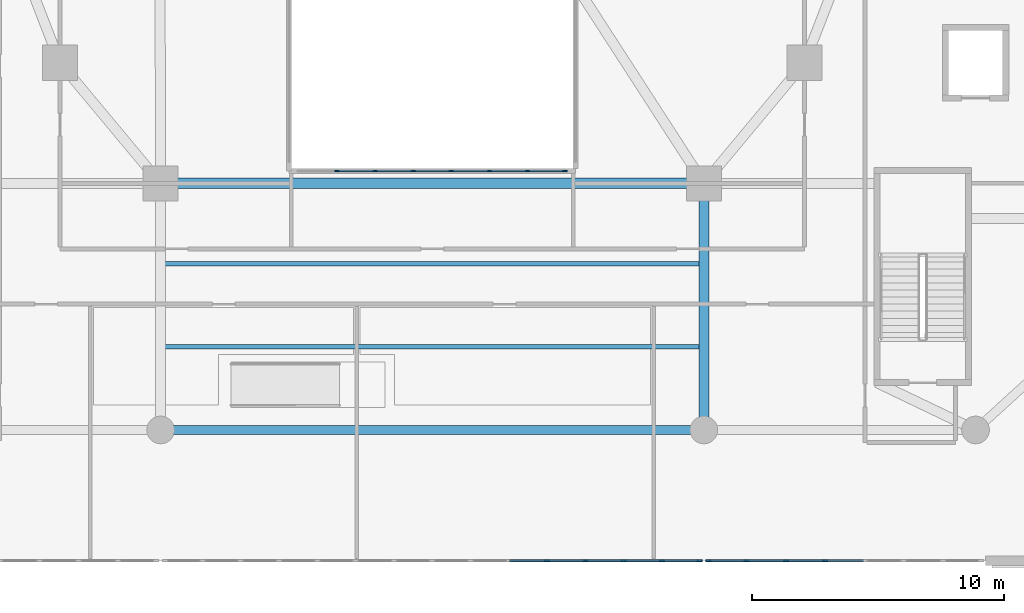
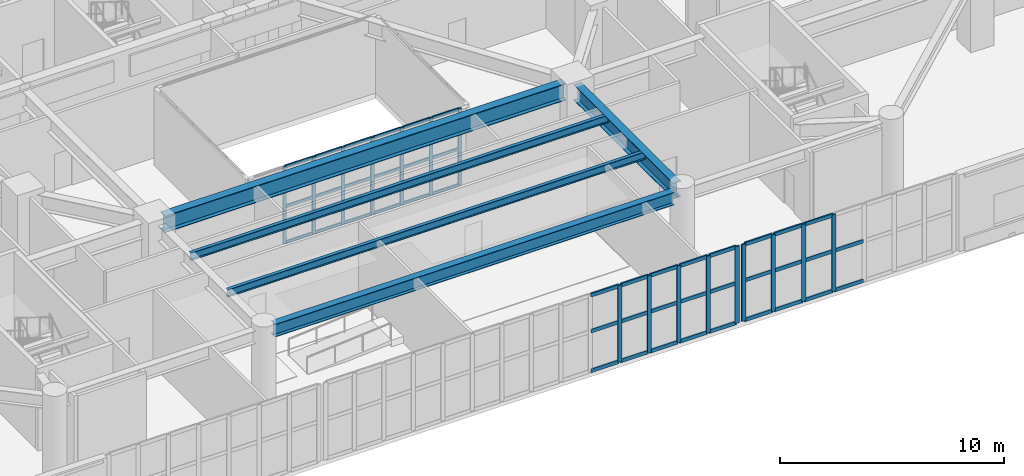
# One storey, part 5 of 25: 60 members, 5 beams, 3 elements without a shape of their own.
"""IFC4 building model written with IfcOpenShell, lengths in metres."""

from ifc_helpers import new_model, si_unit, direction, frame, origin, origin_2d, place, context, subcontext, project, spatial, rectangle, i_section, extrude, material, material_profile, profile_set, type_object, element, aggregate, save


model = new_model("IFC4")

# Units and contexts
model_context = context("Model", 3, precision=1e-05, world=origin(), true_north=direction((0.0, 1.0)))
body_context = subcontext(model_context, "Body", "Model", "MODEL_VIEW")
ifc_project = project(units=[si_unit("LENGTHUNIT", "METRE"), si_unit("AREAUNIT", "SQUARE_METRE"), si_unit("VOLUMEUNIT", "CUBIC_METRE"), si_unit("PLANEANGLEUNIT", "RADIAN"), si_unit("MASSUNIT", "GRAM", prefix="KILO")], contexts=[model_context])

# Site, building, storey
site_placement = place(None, origin())
site = spatial("IfcSite", under=ifc_project, at=site_placement, CompositionType="ELEMENT")
building_placement = place(site_placement, origin())
building = spatial("IfcBuilding", under=site, at=building_placement, Name="Haldorwick Loom Tower", CompositionType="ELEMENT")
storey_placement = place(building_placement, frame((0.0, 0.0, 6.0)))
storey = spatial("IfcBuildingStorey", under=building, at=storey_placement, Name="L01", CompositionType="ELEMENT", Elevation=6.0)

# Curtain wall, members
ifc_material_1 = material(Name="Thermally Broken Anodized Aluminium Curtain Wall Framing", Category="aluminium")
curtain_wall_type_1 = type_object("IfcCurtainWallType", Name="ARC-CW-01", PredefinedType="NOTDEFINED", material=ifc_material_1)
curtain_wall_1_placement = place(storey_placement, origin())
curtain_wall_1 = element("IfcCurtainWall", 1, at=curtain_wall_1_placement, inside=storey, type_object=curtain_wall_type_1, Name="L01 Facade Curtain Wall CW-01 Bay 40", PredefinedType="NOTDEFINED")
ifc_material_profile_1 = material_profile(ifc_material_1, rectangle(XDim=0.074951171875, YDim=0.219970703125, at=origin_2d()), Name="ALU_MUL_75X220", Category="aluminium")
ifc_profile_set_1 = profile_set([ifc_material_profile_1], Name="Thermally Broken Anodized Aluminium Curtain Wall Framing")
member_type_1 = type_object("IfcMemberType", Name="ARC-CWM-01", PredefinedType="MULLION", material=ifc_profile_set_1)
member_1_placement = place(storey_placement, frame((40.568603515625, 0.0, 0.0), z_axis=(0.0, 0.0, 1.0), x_axis=(0.0, 1.0, 0.0)))
member_1 = element("IfcMember", 2, at=member_1_placement, type_object=member_type_1, Name="CW-01 mullion 11", PredefinedType="MULLION", context=body_context, shape_type="SweptSolid", body=[
    extrude(rectangle(XDim=0.074951171875, YDim=0.219970703125, at=origin_2d()), origin(), (0.0, 0.0, 1.0), 4.199951171875),
])
member_2_placement = place(storey_placement, frame((42.09130859375, 0.0, 0.0), z_axis=(0.0, 0.0, 1.0), x_axis=(0.0, 1.0, 0.0)))
member_2 = element("IfcMember", 3, at=member_2_placement, type_object=member_type_1, Name="CW-01 mullion 12", PredefinedType="MULLION", context=body_context, shape_type="SweptSolid", body=[
    extrude(rectangle(XDim=0.074951171875, YDim=0.219970703125, at=origin_2d()), origin(), (0.0, 0.0, 1.0), 4.199951171875),
])
member_3_placement = place(storey_placement, frame((43.6142578125, 0.0, 0.0), z_axis=(0.0, 0.0, 1.0), x_axis=(0.0, 1.0, 0.0)))
member_3 = element("IfcMember", 4, at=member_3_placement, type_object=member_type_1, Name="CW-01 mullion 13", PredefinedType="MULLION", context=body_context, shape_type="SweptSolid", body=[
    extrude(rectangle(XDim=0.074951171875, YDim=0.219970703125, at=origin_2d()), origin(), (0.0, 0.0, 1.0), 4.199951171875),
])
member_4_placement = place(storey_placement, frame((45.13720703125, 0.0, 0.0), z_axis=(0.0, 0.0, 1.0), x_axis=(0.0, 1.0, 0.0)))
member_4 = element("IfcMember", 5, at=member_4_placement, type_object=member_type_1, Name="CW-01 mullion 14", PredefinedType="MULLION", context=body_context, shape_type="SweptSolid", body=[
    extrude(rectangle(XDim=0.074951171875, YDim=0.219970703125, at=origin_2d()), origin(), (0.0, 0.0, 1.0), 4.199951171875),
])
member_5_placement = place(storey_placement, frame((46.62255859375, 0.0, 0.0), z_axis=(0.0, 0.0, 1.0), x_axis=(0.0, 1.0, 0.0)))
member_5 = element("IfcMember", 6, at=member_5_placement, type_object=member_type_1, Name="CW-01 mullion 15", PredefinedType="MULLION", context=body_context, shape_type="SweptSolid", body=[
    extrude(rectangle(XDim=0.074951171875, YDim=0.219970703125, at=origin_2d()), origin(), (0.0, 0.0, 1.0), 4.199951171875),
])

curtain_wall_2_placement = place(storey_placement, origin())
curtain_wall_2 = element("IfcCurtainWall", 7, at=curtain_wall_2_placement, inside=storey, type_object=curtain_wall_type_1, Name="L01 Facade Curtain Wall CW-01 Bay 41", PredefinedType="NOTDEFINED")
member_6_placement = place(storey_placement, frame((46.9775390625, 0.0, 0.0), z_axis=(0.0, 0.0, 1.0), x_axis=(0.0, 1.0, 0.0)))
member_6 = element("IfcMember", 8, at=member_6_placement, type_object=member_type_1, Name="CW-01 mullion 1", PredefinedType="MULLION", context=body_context, shape_type="SweptSolid", body=[
    extrude(rectangle(XDim=0.074951171875, YDim=0.219970703125, at=origin_2d()), origin(), (0.0, 0.0, 1.0), 4.199951171875),
])
member_7_placement = place(storey_placement, frame((48.5, 0.0, 0.0), z_axis=(0.0, 0.0, 1.0), x_axis=(0.0, 1.0, 0.0)))
member_7 = element("IfcMember", 9, at=member_7_placement, type_object=member_type_1, Name="CW-01 mullion 2", PredefinedType="MULLION", context=body_context, shape_type="SweptSolid", body=[
    extrude(rectangle(XDim=0.074951171875, YDim=0.219970703125, at=origin_2d()), origin(), (0.0, 0.0, 1.0), 4.199951171875),
])
member_8_placement = place(storey_placement, frame((50.06005859375, 0.0, 0.0), z_axis=(0.0, 0.0, 1.0), x_axis=(0.0, 1.0, 0.0)))
member_8 = element("IfcMember", 10, at=member_8_placement, type_object=member_type_1, Name="CW-01 mullion 3", PredefinedType="MULLION", context=body_context, shape_type="SweptSolid", body=[
    extrude(rectangle(XDim=0.074951171875, YDim=0.219970703125, at=origin_2d()), origin(), (0.0, 0.0, 1.0), 4.199951171875),
])
member_9_placement = place(storey_placement, frame((51.6201171875, 0.0, 0.0), z_axis=(0.0, 0.0, 1.0), x_axis=(0.0, 1.0, 0.0)))
member_9 = element("IfcMember", 11, at=member_9_placement, type_object=member_type_1, Name="CW-01 mullion 4", PredefinedType="MULLION", context=body_context, shape_type="SweptSolid", body=[
    extrude(rectangle(XDim=0.074951171875, YDim=0.219970703125, at=origin_2d()), origin(), (0.0, 0.0, 1.0), 4.199951171875),
])

curtain_wall_type_2 = type_object("IfcCurtainWallType", Name="ARC-CW-03", PredefinedType="NOTDEFINED", material=ifc_material_1)
curtain_wall_3_placement = place(storey_placement, origin())
curtain_wall_3 = element("IfcCurtainWall", 12, at=curtain_wall_3_placement, inside=storey, type_object=curtain_wall_type_2, Name="L01 Atrium Glazed Screen S", PredefinedType="NOTDEFINED")
ifc_material_profile_2 = material_profile(ifc_material_1, rectangle(XDim=0.06591796875, YDim=0.18505859375, at=origin_2d()), Name="ALU_MUL_66X185", Category="aluminium")
ifc_profile_set_2 = profile_set([ifc_material_profile_2], Name="Thermally Broken Anodized Aluminium Curtain Wall Framing")
member_type_2 = type_object("IfcMemberType", Name="ARC-CWM-03", PredefinedType="MULLION", material=ifc_profile_set_2)
member_10_placement = place(storey_placement, frame((41.26708984375, 15.5, 0.0), z_axis=(0.0, 0.0, 1.0), x_axis=(0.0, -1.0, 0.0)))
member_10 = element("IfcMember", 13, at=member_10_placement, type_object=member_type_2, Name="CW-03 mullion 1", PredefinedType="MULLION", context=body_context, shape_type="SweptSolid", body=[
    extrude(rectangle(XDim=0.06591796875, YDim=0.18505859375, at=origin_2d()), origin(), (0.0, 0.0, 1.0), 4.199951171875),
])
member_11_placement = place(storey_placement, frame((39.78564453125, 15.5, 0.0), z_axis=(0.0, 0.0, 1.0), x_axis=(0.0, -1.0, 0.0)))
member_11 = element("IfcMember", 14, at=member_11_placement, type_object=member_type_2, Name="CW-03 mullion 2", PredefinedType="MULLION", context=body_context, shape_type="SweptSolid", body=[
    extrude(rectangle(XDim=0.06591796875, YDim=0.18505859375, at=origin_2d()), origin(), (0.0, 0.0, 1.0), 4.199951171875),
])
member_12_placement = place(storey_placement, frame((38.271484375, 15.5, 0.0), z_axis=(0.0, 0.0, 1.0), x_axis=(0.0, -1.0, 0.0)))
member_12 = element("IfcMember", 15, at=member_12_placement, type_object=member_type_2, Name="CW-03 mullion 3", PredefinedType="MULLION", context=body_context, shape_type="SweptSolid", body=[
    extrude(rectangle(XDim=0.06591796875, YDim=0.18505859375, at=origin_2d()), origin(), (0.0, 0.0, 1.0), 4.199951171875),
])
member_13_placement = place(storey_placement, frame((36.757080078125, 15.5, 0.0), z_axis=(0.0, 0.0, 1.0), x_axis=(0.0, -1.0, 0.0)))
member_13 = element("IfcMember", 16, at=member_13_placement, type_object=member_type_2, Name="CW-03 mullion 4", PredefinedType="MULLION", context=body_context, shape_type="SweptSolid", body=[
    extrude(rectangle(XDim=0.06591796875, YDim=0.18505859375, at=origin_2d()), origin(), (0.0, 0.0, 1.0), 4.199951171875),
])
member_14_placement = place(storey_placement, frame((35.242919921875, 15.5, 0.0), z_axis=(0.0, 0.0, 1.0), x_axis=(0.0, -1.0, 0.0)))
member_14 = element("IfcMember", 17, at=member_14_placement, type_object=member_type_2, Name="CW-03 mullion 5", PredefinedType="MULLION", context=body_context, shape_type="SweptSolid", body=[
    extrude(rectangle(XDim=0.06591796875, YDim=0.18505859375, at=origin_2d()), origin(), (0.0, 0.0, 1.0), 4.199951171875),
])
member_15_placement = place(storey_placement, frame((33.728515625, 15.5, 0.0), z_axis=(0.0, 0.0, 1.0), x_axis=(0.0, -1.0, 0.0)))
member_15 = element("IfcMember", 18, at=member_15_placement, type_object=member_type_2, Name="CW-03 mullion 6", PredefinedType="MULLION", context=body_context, shape_type="SweptSolid", body=[
    extrude(rectangle(XDim=0.06591796875, YDim=0.18505859375, at=origin_2d()), origin(), (0.0, 0.0, 1.0), 4.199951171875),
])
member_16_placement = place(storey_placement, frame((32.21435546875, 15.5, 0.0), z_axis=(0.0, 0.0, 1.0), x_axis=(0.0, -1.0, 0.0)))
member_16 = element("IfcMember", 19, at=member_16_placement, type_object=member_type_2, Name="CW-03 mullion 7", PredefinedType="MULLION", context=body_context, shape_type="SweptSolid", body=[
    extrude(rectangle(XDim=0.06591796875, YDim=0.18505859375, at=origin_2d()), origin(), (0.0, 0.0, 1.0), 4.199951171875),
])

# Member
ifc_material_profile_3 = material_profile(ifc_material_1, rectangle(XDim=0.074951171875, YDim=0.199951171875, at=origin_2d()), Name="ALU_TRN_75X200", Category="aluminium")
ifc_profile_set_3 = profile_set([ifc_material_profile_3], Name="Thermally Broken Anodized Aluminium Curtain Wall Framing")
member_type_3 = type_object("IfcMemberType", Name="ARC-CWT-01", PredefinedType="USERDEFINED", material=ifc_profile_set_3)
member_17_placement = place(storey_placement, frame((39.083251953125, 0.0, 0.03759765625), z_axis=(1.0, 0.0, 0.0), x_axis=(0.0, 1.0, 0.0)))
member_17 = element("IfcMember", 20, at=member_17_placement, type_object=member_type_3, Name="CW-01 transom 10.1", ObjectType="TRANSOM", PredefinedType="USERDEFINED", context=body_context, shape_type="SweptSolid", body=[
    extrude(rectangle(XDim=0.074951171875, YDim=0.199951171875, at=origin_2d()), origin(), (0.0, 0.0, 1.0), 1.44775390625),
])

member_18_placement = place(storey_placement, frame((39.083251953125, 0.0, 2.199951171875), z_axis=(1.0, 0.0, 0.0), x_axis=(0.0, 1.0, 0.0)))
member_18 = element("IfcMember", 21, at=member_18_placement, type_object=member_type_3, Name="CW-01 transom 10.2", ObjectType="TRANSOM", PredefinedType="USERDEFINED", context=body_context, shape_type="SweptSolid", body=[
    extrude(rectangle(XDim=0.074951171875, YDim=0.199951171875, at=origin_2d()), origin(), (0.0, 0.0, 1.0), 1.44775390625),
])

member_19_placement = place(storey_placement, frame((39.083251953125, 0.0, 4.16259765625), z_axis=(1.0, 0.0, 0.0), x_axis=(0.0, 1.0, 0.0)))
member_19 = element("IfcMember", 22, at=member_19_placement, type_object=member_type_3, Name="CW-01 transom 10.3", ObjectType="TRANSOM", PredefinedType="USERDEFINED", context=body_context, shape_type="SweptSolid", body=[
    extrude(rectangle(XDim=0.074951171875, YDim=0.199951171875, at=origin_2d()), origin(), (0.0, 0.0, 1.0), 1.44775390625),
])

member_20_placement = place(storey_placement, frame((40.60595703125, 0.0, 0.03759765625), z_axis=(1.0, 0.0, 0.0), x_axis=(0.0, 1.0, 0.0)))
member_20 = element("IfcMember", 23, at=member_20_placement, type_object=member_type_3, Name="CW-01 transom 11.1", ObjectType="TRANSOM", PredefinedType="USERDEFINED", context=body_context, shape_type="SweptSolid", body=[
    extrude(rectangle(XDim=0.074951171875, YDim=0.199951171875, at=origin_2d()), origin(), (0.0, 0.0, 1.0), 1.447998046875),
])

member_21_placement = place(storey_placement, frame((40.60595703125, 0.0, 2.199951171875), z_axis=(1.0, 0.0, 0.0), x_axis=(0.0, 1.0, 0.0)))
member_21 = element("IfcMember", 24, at=member_21_placement, type_object=member_type_3, Name="CW-01 transom 11.2", ObjectType="TRANSOM", PredefinedType="USERDEFINED", context=body_context, shape_type="SweptSolid", body=[
    extrude(rectangle(XDim=0.074951171875, YDim=0.199951171875, at=origin_2d()), origin(), (0.0, 0.0, 1.0), 1.447998046875),
])

member_22_placement = place(storey_placement, frame((40.60595703125, 0.0, 4.16259765625), z_axis=(1.0, 0.0, 0.0), x_axis=(0.0, 1.0, 0.0)))
member_22 = element("IfcMember", 25, at=member_22_placement, type_object=member_type_3, Name="CW-01 transom 11.3", ObjectType="TRANSOM", PredefinedType="USERDEFINED", context=body_context, shape_type="SweptSolid", body=[
    extrude(rectangle(XDim=0.074951171875, YDim=0.199951171875, at=origin_2d()), origin(), (0.0, 0.0, 1.0), 1.447998046875),
])

member_23_placement = place(storey_placement, frame((42.12890625, 0.0, 0.03759765625), z_axis=(1.0, 0.0, 0.0), x_axis=(0.0, 1.0, 0.0)))
member_23 = element("IfcMember", 26, at=member_23_placement, type_object=member_type_3, Name="CW-01 transom 12.1", ObjectType="TRANSOM", PredefinedType="USERDEFINED", context=body_context, shape_type="SweptSolid", body=[
    extrude(rectangle(XDim=0.074951171875, YDim=0.199951171875, at=origin_2d()), origin(), (0.0, 0.0, 1.0), 1.447998046875),
])

member_24_placement = place(storey_placement, frame((42.12890625, 0.0, 2.199951171875), z_axis=(1.0, 0.0, 0.0), x_axis=(0.0, 1.0, 0.0)))
member_24 = element("IfcMember", 27, at=member_24_placement, type_object=member_type_3, Name="CW-01 transom 12.2", ObjectType="TRANSOM", PredefinedType="USERDEFINED", context=body_context, shape_type="SweptSolid", body=[
    extrude(rectangle(XDim=0.074951171875, YDim=0.199951171875, at=origin_2d()), origin(), (0.0, 0.0, 1.0), 1.447998046875),
])

member_25_placement = place(storey_placement, frame((42.12890625, 0.0, 4.16259765625), z_axis=(1.0, 0.0, 0.0), x_axis=(0.0, 1.0, 0.0)))
member_25 = element("IfcMember", 28, at=member_25_placement, type_object=member_type_3, Name="CW-01 transom 12.3", ObjectType="TRANSOM", PredefinedType="USERDEFINED", context=body_context, shape_type="SweptSolid", body=[
    extrude(rectangle(XDim=0.074951171875, YDim=0.199951171875, at=origin_2d()), origin(), (0.0, 0.0, 1.0), 1.447998046875),
])

member_26_placement = place(storey_placement, frame((43.65185546875, 0.0, 0.03759765625), z_axis=(1.0, 0.0, 0.0), x_axis=(0.0, 1.0, 0.0)))
member_26 = element("IfcMember", 29, at=member_26_placement, type_object=member_type_3, Name="CW-01 transom 13.1", ObjectType="TRANSOM", PredefinedType="USERDEFINED", context=body_context, shape_type="SweptSolid", body=[
    extrude(rectangle(XDim=0.074951171875, YDim=0.199951171875, at=origin_2d()), origin(), (0.0, 0.0, 1.0), 1.44775390625),
])

member_27_placement = place(storey_placement, frame((43.65185546875, 0.0, 2.199951171875), z_axis=(1.0, 0.0, 0.0), x_axis=(0.0, 1.0, 0.0)))
member_27 = element("IfcMember", 30, at=member_27_placement, type_object=member_type_3, Name="CW-01 transom 13.2", ObjectType="TRANSOM", PredefinedType="USERDEFINED", context=body_context, shape_type="SweptSolid", body=[
    extrude(rectangle(XDim=0.074951171875, YDim=0.199951171875, at=origin_2d()), origin(), (0.0, 0.0, 1.0), 1.44775390625),
])

member_28_placement = place(storey_placement, frame((43.65185546875, 0.0, 4.16259765625), z_axis=(1.0, 0.0, 0.0), x_axis=(0.0, 1.0, 0.0)))
member_28 = element("IfcMember", 31, at=member_28_placement, type_object=member_type_3, Name="CW-01 transom 13.3", ObjectType="TRANSOM", PredefinedType="USERDEFINED", context=body_context, shape_type="SweptSolid", body=[
    extrude(rectangle(XDim=0.074951171875, YDim=0.199951171875, at=origin_2d()), origin(), (0.0, 0.0, 1.0), 1.44775390625),
])

member_29_placement = place(storey_placement, frame((45.174560546875, 0.0, 0.03759765625), z_axis=(1.0, 0.0, 0.0), x_axis=(0.0, 1.0, 0.0)))
member_29 = element("IfcMember", 32, at=member_29_placement, type_object=member_type_3, Name="CW-01 transom 14.1", ObjectType="TRANSOM", PredefinedType="USERDEFINED", context=body_context, shape_type="SweptSolid", body=[
    extrude(rectangle(XDim=0.074951171875, YDim=0.199951171875, at=origin_2d()), origin(), (0.0, 0.0, 1.0), 1.410400390625),
])

member_30_placement = place(storey_placement, frame((45.174560546875, 0.0, 2.199951171875), z_axis=(1.0, 0.0, 0.0), x_axis=(0.0, 1.0, 0.0)))
member_30 = element("IfcMember", 33, at=member_30_placement, type_object=member_type_3, Name="CW-01 transom 14.2", ObjectType="TRANSOM", PredefinedType="USERDEFINED", context=body_context, shape_type="SweptSolid", body=[
    extrude(rectangle(XDim=0.074951171875, YDim=0.199951171875, at=origin_2d()), origin(), (0.0, 0.0, 1.0), 1.410400390625),
])

member_31_placement = place(storey_placement, frame((45.174560546875, 0.0, 4.16259765625), z_axis=(1.0, 0.0, 0.0), x_axis=(0.0, 1.0, 0.0)))
member_31 = element("IfcMember", 34, at=member_31_placement, type_object=member_type_3, Name="CW-01 transom 14.3", ObjectType="TRANSOM", PredefinedType="USERDEFINED", context=body_context, shape_type="SweptSolid", body=[
    extrude(rectangle(XDim=0.074951171875, YDim=0.199951171875, at=origin_2d()), origin(), (0.0, 0.0, 1.0), 1.410400390625),
])

aggregate(curtain_wall_1, [member_1, member_2, member_3, member_4, member_5, member_17, member_18, member_19, member_20, member_21, member_22, member_23, member_24, member_25, member_26, member_27, member_28, member_29, member_30, member_31])

member_32_placement = place(storey_placement, frame((47.014892578125, 0.0, 0.03759765625), z_axis=(1.0, 0.0, 0.0), x_axis=(0.0, 1.0, 0.0)))
member_32 = element("IfcMember", 35, at=member_32_placement, type_object=member_type_3, Name="CW-01 transom 1.1", ObjectType="TRANSOM", PredefinedType="USERDEFINED", context=body_context, shape_type="SweptSolid", body=[
    extrude(rectangle(XDim=0.074951171875, YDim=0.199951171875, at=origin_2d()), origin(), (0.0, 0.0, 1.0), 1.447509765625),
])

member_33_placement = place(storey_placement, frame((47.014892578125, 0.0, 2.199951171875), z_axis=(1.0, 0.0, 0.0), x_axis=(0.0, 1.0, 0.0)))
member_33 = element("IfcMember", 36, at=member_33_placement, type_object=member_type_3, Name="CW-01 transom 1.2", ObjectType="TRANSOM", PredefinedType="USERDEFINED", context=body_context, shape_type="SweptSolid", body=[
    extrude(rectangle(XDim=0.074951171875, YDim=0.199951171875, at=origin_2d()), origin(), (0.0, 0.0, 1.0), 1.447509765625),
])

member_34_placement = place(storey_placement, frame((47.014892578125, 0.0, 4.16259765625), z_axis=(1.0, 0.0, 0.0), x_axis=(0.0, 1.0, 0.0)))
member_34 = element("IfcMember", 37, at=member_34_placement, type_object=member_type_3, Name="CW-01 transom 1.3", ObjectType="TRANSOM", PredefinedType="USERDEFINED", context=body_context, shape_type="SweptSolid", body=[
    extrude(rectangle(XDim=0.074951171875, YDim=0.199951171875, at=origin_2d()), origin(), (0.0, 0.0, 1.0), 1.447509765625),
])

member_35_placement = place(storey_placement, frame((48.53759765625, 0.0, 0.03759765625), z_axis=(1.0, 0.0, 0.0), x_axis=(0.0, 1.0, 0.0)))
member_35 = element("IfcMember", 38, at=member_35_placement, type_object=member_type_3, Name="CW-01 transom 2.1", ObjectType="TRANSOM", PredefinedType="USERDEFINED", context=body_context, shape_type="SweptSolid", body=[
    extrude(rectangle(XDim=0.074951171875, YDim=0.199951171875, at=origin_2d()), origin(), (0.0, 0.0, 1.0), 1.48486328125),
])

member_36_placement = place(storey_placement, frame((48.53759765625, 0.0, 2.199951171875), z_axis=(1.0, 0.0, 0.0), x_axis=(0.0, 1.0, 0.0)))
member_36 = element("IfcMember", 39, at=member_36_placement, type_object=member_type_3, Name="CW-01 transom 2.2", ObjectType="TRANSOM", PredefinedType="USERDEFINED", context=body_context, shape_type="SweptSolid", body=[
    extrude(rectangle(XDim=0.074951171875, YDim=0.199951171875, at=origin_2d()), origin(), (0.0, 0.0, 1.0), 1.48486328125),
])

member_37_placement = place(storey_placement, frame((48.53759765625, 0.0, 4.16259765625), z_axis=(1.0, 0.0, 0.0), x_axis=(0.0, 1.0, 0.0)))
member_37 = element("IfcMember", 40, at=member_37_placement, type_object=member_type_3, Name="CW-01 transom 2.3", ObjectType="TRANSOM", PredefinedType="USERDEFINED", context=body_context, shape_type="SweptSolid", body=[
    extrude(rectangle(XDim=0.074951171875, YDim=0.199951171875, at=origin_2d()), origin(), (0.0, 0.0, 1.0), 1.48486328125),
])

member_38_placement = place(storey_placement, frame((50.097412109375, 0.0, 0.03759765625), z_axis=(1.0, 0.0, 0.0), x_axis=(0.0, 1.0, 0.0)))
member_38 = element("IfcMember", 41, at=member_38_placement, type_object=member_type_3, Name="CW-01 transom 3.1", ObjectType="TRANSOM", PredefinedType="USERDEFINED", context=body_context, shape_type="SweptSolid", body=[
    extrude(rectangle(XDim=0.074951171875, YDim=0.199951171875, at=origin_2d()), origin(), (0.0, 0.0, 1.0), 1.485107421875),
])

member_39_placement = place(storey_placement, frame((50.097412109375, 0.0, 2.199951171875), z_axis=(1.0, 0.0, 0.0), x_axis=(0.0, 1.0, 0.0)))
member_39 = element("IfcMember", 42, at=member_39_placement, type_object=member_type_3, Name="CW-01 transom 3.2", ObjectType="TRANSOM", PredefinedType="USERDEFINED", context=body_context, shape_type="SweptSolid", body=[
    extrude(rectangle(XDim=0.074951171875, YDim=0.199951171875, at=origin_2d()), origin(), (0.0, 0.0, 1.0), 1.485107421875),
])

member_40_placement = place(storey_placement, frame((50.097412109375, 0.0, 4.16259765625), z_axis=(1.0, 0.0, 0.0), x_axis=(0.0, 1.0, 0.0)))
member_40 = element("IfcMember", 43, at=member_40_placement, type_object=member_type_3, Name="CW-01 transom 3.3", ObjectType="TRANSOM", PredefinedType="USERDEFINED", context=body_context, shape_type="SweptSolid", body=[
    extrude(rectangle(XDim=0.074951171875, YDim=0.199951171875, at=origin_2d()), origin(), (0.0, 0.0, 1.0), 1.485107421875),
])

member_41_placement = place(storey_placement, frame((51.657470703125, 0.0, 0.03759765625), z_axis=(1.0, 0.0, 0.0), x_axis=(0.0, 1.0, 0.0)))
member_41 = element("IfcMember", 44, at=member_41_placement, type_object=member_type_3, Name="CW-01 transom 4.1", ObjectType="TRANSOM", PredefinedType="USERDEFINED", context=body_context, shape_type="SweptSolid", body=[
    extrude(rectangle(XDim=0.074951171875, YDim=0.199951171875, at=origin_2d()), origin(), (0.0, 0.0, 1.0), 1.485107421875),
])

member_42_placement = place(storey_placement, frame((51.657470703125, 0.0, 2.199951171875), z_axis=(1.0, 0.0, 0.0), x_axis=(0.0, 1.0, 0.0)))
member_42 = element("IfcMember", 45, at=member_42_placement, type_object=member_type_3, Name="CW-01 transom 4.2", ObjectType="TRANSOM", PredefinedType="USERDEFINED", context=body_context, shape_type="SweptSolid", body=[
    extrude(rectangle(XDim=0.074951171875, YDim=0.199951171875, at=origin_2d()), origin(), (0.0, 0.0, 1.0), 1.485107421875),
])

aggregate(curtain_wall_2, [member_6, member_7, member_8, member_9, member_32, member_33, member_34, member_35, member_36, member_37, member_38, member_39, member_40, member_41, member_42])

ifc_material_profile_4 = material_profile(ifc_material_1, rectangle(XDim=0.06591796875, YDim=0.1650390625, at=origin_2d()), Name="ALU_TRN_66X165", Category="aluminium")
ifc_profile_set_4 = profile_set([ifc_material_profile_4], Name="Thermally Broken Anodized Aluminium Curtain Wall Framing")
member_type_4 = type_object("IfcMemberType", Name="ARC-CWT-03", PredefinedType="USERDEFINED", material=ifc_profile_set_4)
member_43_placement = place(storey_placement, frame((41.23388671875, 15.5, 0.032958984375), z_axis=(-1.0, 0.0, 0.0), x_axis=(0.0, -1.0, 0.0)))
member_43 = element("IfcMember", 46, at=member_43_placement, type_object=member_type_4, Name="CW-03 transom 1.1", ObjectType="TRANSOM", PredefinedType="USERDEFINED", context=body_context, shape_type="SweptSolid", body=[
    extrude(rectangle(XDim=0.06591796875, YDim=0.1650390625, at=origin_2d()), origin(), (0.0, 0.0, 1.0), 1.415283203125),
])

member_44_placement = place(storey_placement, frame((41.23388671875, 15.5, 2.0), z_axis=(-1.0, 0.0, 0.0), x_axis=(0.0, -1.0, 0.0)))
member_44 = element("IfcMember", 47, at=member_44_placement, type_object=member_type_4, Name="CW-03 transom 1.2", ObjectType="TRANSOM", PredefinedType="USERDEFINED", context=body_context, shape_type="SweptSolid", body=[
    extrude(rectangle(XDim=0.06591796875, YDim=0.1650390625, at=origin_2d()), origin(), (0.0, 0.0, 1.0), 1.415283203125),
])

member_45_placement = place(storey_placement, frame((41.23388671875, 15.5, 4.1669921875), z_axis=(-1.0, 0.0, 0.0), x_axis=(0.0, -1.0, 0.0)))
member_45 = element("IfcMember", 48, at=member_45_placement, type_object=member_type_4, Name="CW-03 transom 1.3", ObjectType="TRANSOM", PredefinedType="USERDEFINED", context=body_context, shape_type="SweptSolid", body=[
    extrude(rectangle(XDim=0.06591796875, YDim=0.1650390625, at=origin_2d()), origin(), (0.0, 0.0, 1.0), 1.415283203125),
])

member_46_placement = place(storey_placement, frame((39.752685546875, 15.5, 0.032958984375), z_axis=(-1.0, 0.0, 0.0), x_axis=(0.0, -1.0, 0.0)))
member_46 = element("IfcMember", 49, at=member_46_placement, type_object=member_type_4, Name="CW-03 transom 2.1", ObjectType="TRANSOM", PredefinedType="USERDEFINED", context=body_context, shape_type="SweptSolid", body=[
    extrude(rectangle(XDim=0.06591796875, YDim=0.1650390625, at=origin_2d()), origin(), (0.0, 0.0, 1.0), 1.4482421875),
])

member_47_placement = place(storey_placement, frame((39.752685546875, 15.5, 2.0), z_axis=(-1.0, 0.0, 0.0), x_axis=(0.0, -1.0, 0.0)))
member_47 = element("IfcMember", 50, at=member_47_placement, type_object=member_type_4, Name="CW-03 transom 2.2", ObjectType="TRANSOM", PredefinedType="USERDEFINED", context=body_context, shape_type="SweptSolid", body=[
    extrude(rectangle(XDim=0.06591796875, YDim=0.1650390625, at=origin_2d()), origin(), (0.0, 0.0, 1.0), 1.4482421875),
])

member_48_placement = place(storey_placement, frame((39.752685546875, 15.5, 4.1669921875), z_axis=(-1.0, 0.0, 0.0), x_axis=(0.0, -1.0, 0.0)))
member_48 = element("IfcMember", 51, at=member_48_placement, type_object=member_type_4, Name="CW-03 transom 2.3", ObjectType="TRANSOM", PredefinedType="USERDEFINED", context=body_context, shape_type="SweptSolid", body=[
    extrude(rectangle(XDim=0.06591796875, YDim=0.1650390625, at=origin_2d()), origin(), (0.0, 0.0, 1.0), 1.4482421875),
])

member_49_placement = place(storey_placement, frame((38.238525390625, 15.5, 0.032958984375), z_axis=(-1.0, 0.0, 0.0), x_axis=(0.0, -1.0, 0.0)))
member_49 = element("IfcMember", 52, at=member_49_placement, type_object=member_type_4, Name="CW-03 transom 3.1", ObjectType="TRANSOM", PredefinedType="USERDEFINED", context=body_context, shape_type="SweptSolid", body=[
    extrude(rectangle(XDim=0.06591796875, YDim=0.1650390625, at=origin_2d()), origin(), (0.0, 0.0, 1.0), 1.448486328125),
])

member_50_placement = place(storey_placement, frame((38.238525390625, 15.5, 2.0), z_axis=(-1.0, 0.0, 0.0), x_axis=(0.0, -1.0, 0.0)))
member_50 = element("IfcMember", 53, at=member_50_placement, type_object=member_type_4, Name="CW-03 transom 3.2", ObjectType="TRANSOM", PredefinedType="USERDEFINED", context=body_context, shape_type="SweptSolid", body=[
    extrude(rectangle(XDim=0.06591796875, YDim=0.1650390625, at=origin_2d()), origin(), (0.0, 0.0, 1.0), 1.448486328125),
])

member_51_placement = place(storey_placement, frame((38.238525390625, 15.5, 4.1669921875), z_axis=(-1.0, 0.0, 0.0), x_axis=(0.0, -1.0, 0.0)))
member_51 = element("IfcMember", 54, at=member_51_placement, type_object=member_type_4, Name="CW-03 transom 3.3", ObjectType="TRANSOM", PredefinedType="USERDEFINED", context=body_context, shape_type="SweptSolid", body=[
    extrude(rectangle(XDim=0.06591796875, YDim=0.1650390625, at=origin_2d()), origin(), (0.0, 0.0, 1.0), 1.448486328125),
])

member_52_placement = place(storey_placement, frame((36.72412109375, 15.5, 0.032958984375), z_axis=(-1.0, 0.0, 0.0), x_axis=(0.0, -1.0, 0.0)))
member_52 = element("IfcMember", 55, at=member_52_placement, type_object=member_type_4, Name="CW-03 transom 4.1", ObjectType="TRANSOM", PredefinedType="USERDEFINED", context=body_context, shape_type="SweptSolid", body=[
    extrude(rectangle(XDim=0.06591796875, YDim=0.1650390625, at=origin_2d()), origin(), (0.0, 0.0, 1.0), 1.4482421875),
])

member_53_placement = place(storey_placement, frame((36.72412109375, 15.5, 2.0), z_axis=(-1.0, 0.0, 0.0), x_axis=(0.0, -1.0, 0.0)))
member_53 = element("IfcMember", 56, at=member_53_placement, type_object=member_type_4, Name="CW-03 transom 4.2", ObjectType="TRANSOM", PredefinedType="USERDEFINED", context=body_context, shape_type="SweptSolid", body=[
    extrude(rectangle(XDim=0.06591796875, YDim=0.1650390625, at=origin_2d()), origin(), (0.0, 0.0, 1.0), 1.4482421875),
])

member_54_placement = place(storey_placement, frame((36.72412109375, 15.5, 4.1669921875), z_axis=(-1.0, 0.0, 0.0), x_axis=(0.0, -1.0, 0.0)))
member_54 = element("IfcMember", 57, at=member_54_placement, type_object=member_type_4, Name="CW-03 transom 4.3", ObjectType="TRANSOM", PredefinedType="USERDEFINED", context=body_context, shape_type="SweptSolid", body=[
    extrude(rectangle(XDim=0.06591796875, YDim=0.1650390625, at=origin_2d()), origin(), (0.0, 0.0, 1.0), 1.4482421875),
])

member_55_placement = place(storey_placement, frame((35.2099609375, 15.5, 0.032958984375), z_axis=(-1.0, 0.0, 0.0), x_axis=(0.0, -1.0, 0.0)))
member_55 = element("IfcMember", 58, at=member_55_placement, type_object=member_type_4, Name="CW-03 transom 5.1", ObjectType="TRANSOM", PredefinedType="USERDEFINED", context=body_context, shape_type="SweptSolid", body=[
    extrude(rectangle(XDim=0.06591796875, YDim=0.1650390625, at=origin_2d()), origin(), (0.0, 0.0, 1.0), 1.448486328125),
])

member_56_placement = place(storey_placement, frame((35.2099609375, 15.5, 2.0), z_axis=(-1.0, 0.0, 0.0), x_axis=(0.0, -1.0, 0.0)))
member_56 = element("IfcMember", 59, at=member_56_placement, type_object=member_type_4, Name="CW-03 transom 5.2", ObjectType="TRANSOM", PredefinedType="USERDEFINED", context=body_context, shape_type="SweptSolid", body=[
    extrude(rectangle(XDim=0.06591796875, YDim=0.1650390625, at=origin_2d()), origin(), (0.0, 0.0, 1.0), 1.448486328125),
])

member_57_placement = place(storey_placement, frame((35.2099609375, 15.5, 4.1669921875), z_axis=(-1.0, 0.0, 0.0), x_axis=(0.0, -1.0, 0.0)))
member_57 = element("IfcMember", 60, at=member_57_placement, type_object=member_type_4, Name="CW-03 transom 5.3", ObjectType="TRANSOM", PredefinedType="USERDEFINED", context=body_context, shape_type="SweptSolid", body=[
    extrude(rectangle(XDim=0.06591796875, YDim=0.1650390625, at=origin_2d()), origin(), (0.0, 0.0, 1.0), 1.448486328125),
])

member_58_placement = place(storey_placement, frame((33.695556640625, 15.5, 0.032958984375), z_axis=(-1.0, 0.0, 0.0), x_axis=(0.0, -1.0, 0.0)))
member_58 = element("IfcMember", 61, at=member_58_placement, type_object=member_type_4, Name="CW-03 transom 6.1", ObjectType="TRANSOM", PredefinedType="USERDEFINED", context=body_context, shape_type="SweptSolid", body=[
    extrude(rectangle(XDim=0.06591796875, YDim=0.1650390625, at=origin_2d()), origin(), (0.0, 0.0, 1.0), 1.4482421875),
])

member_59_placement = place(storey_placement, frame((33.695556640625, 15.5, 2.0), z_axis=(-1.0, 0.0, 0.0), x_axis=(0.0, -1.0, 0.0)))
member_59 = element("IfcMember", 62, at=member_59_placement, type_object=member_type_4, Name="CW-03 transom 6.2", ObjectType="TRANSOM", PredefinedType="USERDEFINED", context=body_context, shape_type="SweptSolid", body=[
    extrude(rectangle(XDim=0.06591796875, YDim=0.1650390625, at=origin_2d()), origin(), (0.0, 0.0, 1.0), 1.4482421875),
])

member_60_placement = place(storey_placement, frame((33.695556640625, 15.5, 4.1669921875), z_axis=(-1.0, 0.0, 0.0), x_axis=(0.0, -1.0, 0.0)))
member_60 = element("IfcMember", 63, at=member_60_placement, type_object=member_type_4, Name="CW-03 transom 6.3", ObjectType="TRANSOM", PredefinedType="USERDEFINED", context=body_context, shape_type="SweptSolid", body=[
    extrude(rectangle(XDim=0.06591796875, YDim=0.1650390625, at=origin_2d()), origin(), (0.0, 0.0, 1.0), 1.4482421875),
])

aggregate(curtain_wall_3, [member_10, member_11, member_12, member_13, member_14, member_15, member_16, member_43, member_44, member_45, member_46, member_47, member_48, member_49, member_50, member_51, member_52, member_53, member_54, member_55, member_56, member_57, member_58, member_59, member_60])

# Beams
ifc_material_2 = material(Name="Steel CSA G40.21 350W", Category="steel")
ifc_material_profile_5 = material_profile(ifc_material_2, i_section(OverallWidth=0.179931640625, OverallDepth=0.4130859375, WebThickness=0.009765625, FlangeThickness=0.01611328125, at=origin_2d()), Name="W410X74", Category="steel")
ifc_profile_set_5 = profile_set([ifc_material_profile_5], Name="Steel CSA G40.21 350W")
beam_type_1 = type_object("IfcBeamType", Name="STR-BM-J410", PredefinedType="JOIST", material=ifc_profile_set_5)
for number, where, z_axis, x_axis, name in (
    (64, (25.199951171875, 8.5, 3.993408203125), (1.0, 0.0, 0.0), (0.0, 1.0, 0.0), "L01 Podium Secondary Joist PJ-S1"),
    (65, (25.199951171875, 11.800048828125, 3.993408203125), (1.0, 0.0, 0.0), (0.0, 1.0, 0.0), "L01 Podium Secondary Joist PJ-S2"),
):
    element("IfcBeam", number, at=place(storey_placement, frame(where, z_axis=z_axis, x_axis=x_axis)), inside=storey, type_object=beam_type_1, Name=name, PredefinedType="JOIST", context=body_context, shape_type="SweptSolid", body=[
        extrude(i_section(OverallWidth=0.179931640625, OverallDepth=0.4130859375, WebThickness=0.009765625, FlangeThickness=0.01611328125, at=origin_2d()), origin(), (0.0, 0.0, 1.0), 21.60009765625),
    ])
ifc_material_profile_6 = material_profile(ifc_material_2, i_section(OverallWidth=0.35498046875, OverallDepth=0.695068359375, WebThickness=0.015380859375, FlangeThickness=0.02490234375, at=origin_2d()), Name="W690X217", Category="steel")
ifc_profile_set_6 = profile_set([ifc_material_profile_6], Name="Steel CSA G40.21 350W")
beam_type_2 = type_object("IfcBeamType", Name="STR-BM-SP690", PredefinedType="SPANDREL", material=ifc_profile_set_6)
beam_1_placement = place(storey_placement, frame((25.679931640625, 5.199951171875, 3.8525390625), z_axis=(1.0, 0.0, 0.0), x_axis=(0.0, 1.0, 0.0)))
element("IfcBeam", 66, at=beam_1_placement, inside=storey, type_object=beam_type_2, Name="L01 Podium Spandrel PSP-S3", PredefinedType="SPANDREL", context=body_context, shape_type="SweptSolid", body=[
    extrude(i_section(OverallWidth=0.35498046875, OverallDepth=0.695068359375, WebThickness=0.015380859375, FlangeThickness=0.02490234375, at=origin_2d()), origin(), (0.0, 0.0, 1.0), 20.64013671875),
])
ifc_material_profile_7 = material_profile(ifc_material_2, i_section(OverallWidth=0.39990234375, OverallDepth=0.85498046875, WebThickness=0.018310546875, FlangeThickness=0.029296875, at=origin_2d()), Name="W840X299", Category="steel")
ifc_profile_set_7 = profile_set([ifc_material_profile_7], Name="Steel CSA G40.21 350W")
beam_type_3 = type_object("IfcBeamType", Name="STR-BM-W840", PredefinedType="BEAM", material=ifc_profile_set_7)
beam_2_placement = place(storey_placement, frame((46.800048828125, 5.64990234375, 3.7724609375), z_axis=(0.0, 1.0, 0.0), x_axis=(-1.0, 0.0, 0.0)))
element("IfcBeam", 67, at=beam_2_placement, inside=storey, type_object=beam_type_3, Name="L01 Podium Primary Girder PG-02", PredefinedType="BEAM", context=body_context, shape_type="SweptSolid", body=[
    extrude(i_section(OverallWidth=0.39990234375, OverallDepth=0.85498046875, WebThickness=0.018310546875, FlangeThickness=0.029296875, at=origin_2d()), origin(), (0.0, 0.0, 1.0), 8.900146484375),
])
ifc_material_profile_8 = material_profile(ifc_material_2, i_section(OverallWidth=0.41796875, OverallDepth=0.912109375, WebThickness=0.019287109375, FlangeThickness=0.031982421875, at=origin_2d()), Name="W920X342", Category="steel")
ifc_profile_set_8 = profile_set([ifc_material_profile_8], Name="Steel CSA G40.21 350W")
beam_type_4 = type_object("IfcBeamType", Name="STR-BM-W920", PredefinedType="BEAM", material=ifc_profile_set_8)
beam_3_placement = place(storey_placement, frame((25.64990234375, 15.0, 3.743896484375), z_axis=(1.0, 0.0, 0.0), x_axis=(0.0, 1.0, 0.0)))
element("IfcBeam", 68, at=beam_3_placement, inside=storey, type_object=beam_type_4, Name="L01 Podium Primary Girder PG-03", PredefinedType="BEAM", context=body_context, shape_type="SweptSolid", body=[
    extrude(i_section(OverallWidth=0.41796875, OverallDepth=0.912109375, WebThickness=0.019287109375, FlangeThickness=0.031982421875, at=origin_2d()), origin(), (0.0, 0.0, 1.0), 20.7001953125),
])

save(model, "model.ifc")
